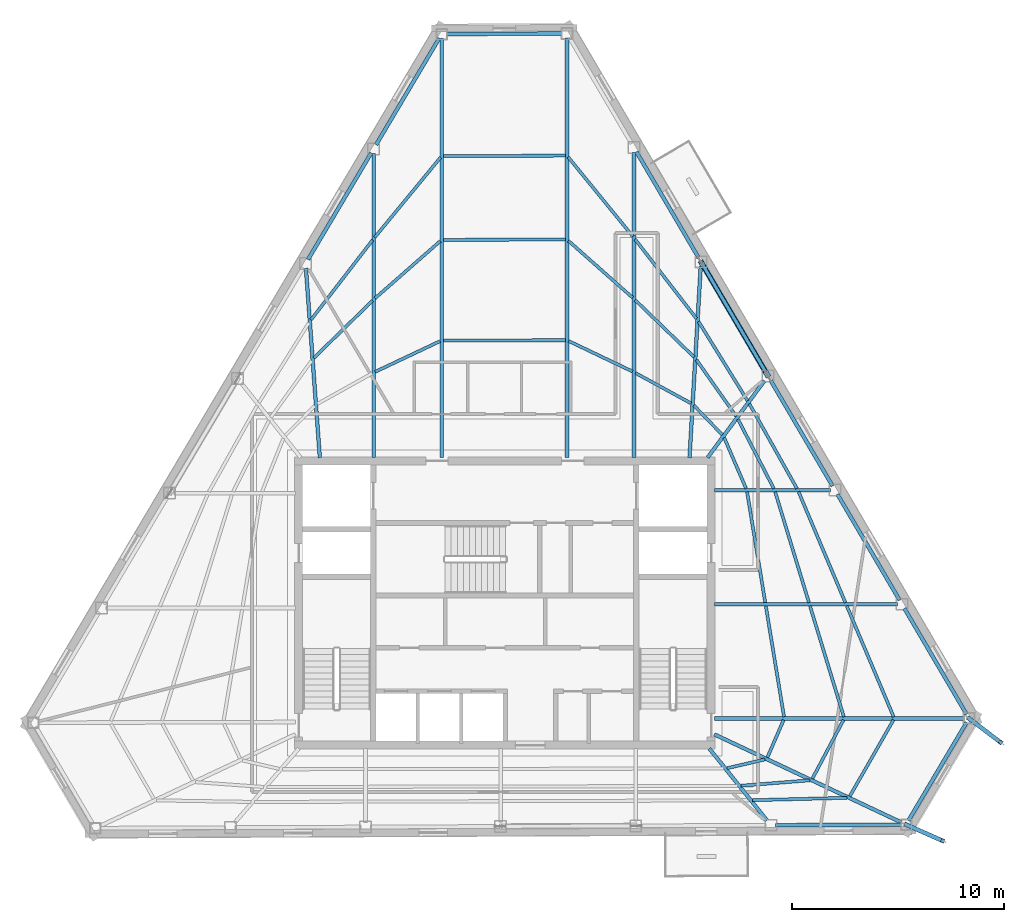
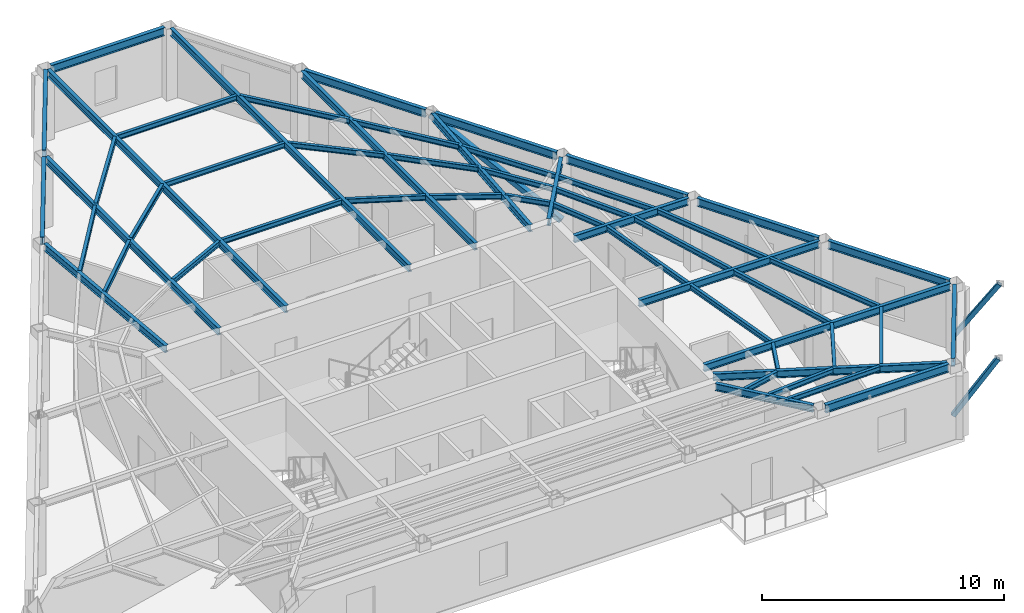
# One storey, part 2 of 9: 54 beams, 3 members.
"""IFC4 building model written with IfcOpenShell, lengths in metres."""

from ifc_helpers import new_model, si_unit, direction, frame, origin, origin_2d, place, context, subcontext, project, spatial, hollow_rectangle, i_section, extrude, material, material_profile, profile_set, type_object, element, save


model = new_model("IFC4")

# Units and contexts
model_context = context("Model", 3, precision=1e-05, world=origin(), true_north=direction((0.0, 1.0)))
body_context = subcontext(model_context, "Body", "Model", "MODEL_VIEW")
ifc_project = project(units=[si_unit("LENGTHUNIT", "METRE"), si_unit("AREAUNIT", "SQUARE_METRE"), si_unit("VOLUMEUNIT", "CUBIC_METRE"), si_unit("PLANEANGLEUNIT", "RADIAN"), si_unit("MASSUNIT", "GRAM", prefix="KILO")], contexts=[model_context])

# Site, building, storey
site_placement = place(None, origin())
site = spatial("IfcSite", under=ifc_project, at=site_placement, CompositionType="ELEMENT")
building_placement = place(site_placement, origin())
building = spatial("IfcBuilding", under=site, at=building_placement, Name="Kavelnor Concourse Tower", CompositionType="ELEMENT")
storey_placement = place(building_placement, frame((0.0, 0.0, 278.0)))
storey = spatial("IfcBuildingStorey", under=building, at=storey_placement, Name="L70", CompositionType="ELEMENT", Elevation=278.0)

# Beams
ifc_material = material(Name="Steel Grade 350", Category="steel")
ifc_material_profile_1 = material_profile(ifc_material, i_section(OverallWidth=0.14599609375, OverallDepth=0.256103515625, WebThickness=0.00634765625, FlangeThickness=0.010986328125, at=origin_2d()), Name="250UB37")
ifc_profile_set_1 = profile_set([ifc_material_profile_1], Name="Steel Grade 350")
beam_type_1 = type_object("IfcBeamType", Name="BM-JOIST-250", PredefinedType="JOIST", material=ifc_profile_set_1)
beam_1_placement = place(storey_placement, frame((48.464111328125, 8.321533203125, 3.48193359375), z_axis=(0.974163757113, 0.225842808889, 0.0), x_axis=(-0.225842808889, 0.974163757113, 0.0)))
element("IfcBeam", 1, at=beam_1_placement, inside=storey, type_object=beam_type_1, Name="L70 Secondary Composite Joist 08-1", PredefinedType="JOIST", context=body_context, shape_type="SweptSolid", body=[
    extrude(i_section(OverallWidth=0.14599609375, OverallDepth=0.256103515625, WebThickness=0.00634765625, FlangeThickness=0.010986328125, at=origin_2d()), origin(), (0.0, 0.0, 1.0), 1.831298828125),
])
beam_2_placement = place(storey_placement, frame((49.11865234375, 7.49658203125, 3.48193359375), z_axis=(0.99689597676, 0.078729991232, 0.0), x_axis=(-0.078729991232, 0.99689597676, 0.0)))
element("IfcBeam", 2, at=beam_2_placement, inside=storey, type_object=beam_type_1, Name="L70 Secondary Composite Joist 08-2", PredefinedType="JOIST", context=body_context, shape_type="SweptSolid", body=[
    extrude(i_section(OverallWidth=0.14599609375, OverallDepth=0.256103515625, WebThickness=0.00634765625, FlangeThickness=0.010986328125, at=origin_2d()), origin(), (0.0, 0.0, 1.0), 3.249755859375),
])
beam_3_placement = place(storey_placement, frame((49.662841796875, 6.815185546875, 3.48193359375), z_axis=(0.999679692497, 0.025308346645, 0.0), x_axis=(-0.025308346645, 0.999679692497, 0.0)))
element("IfcBeam", 3, at=beam_3_placement, inside=storey, type_object=beam_type_1, Name="L70 Secondary Composite Joist 08-3", PredefinedType="JOIST", context=body_context, shape_type="SweptSolid", body=[
    extrude(i_section(OverallWidth=0.14599609375, OverallDepth=0.256103515625, WebThickness=0.00634765625, FlangeThickness=0.010986328125, at=origin_2d()), origin(), (0.0, 0.0, 1.0), 4.456787109375),
])
beam_4_placement = place(storey_placement, frame((50.360595703125, 8.828857421875, 3.48193359375), z_axis=(0.397614574495, 0.917552532637, 0.0), x_axis=(-0.917552532637, 0.397614574495, 0.0)))
element("IfcBeam", 4, at=beam_4_placement, inside=storey, type_object=beam_type_1, Name="L70 Secondary Composite Joist 09-1", PredefinedType="JOIST", context=body_context, shape_type="SweptSolid", body=[
    extrude(i_section(OverallWidth=0.14599609375, OverallDepth=0.256103515625, WebThickness=0.00634765625, FlangeThickness=0.010986328125, at=origin_2d()), origin(), (0.0, 0.0, 1.0), 1.919921875),
])
beam_5_placement = place(storey_placement, frame((52.478515625, 7.831298828125, 3.48193359375), z_axis=(0.468633741368, 0.883392560786, 0.0), x_axis=(-0.883392560786, 0.468633741368, 0.0)))
element("IfcBeam", 5, at=beam_5_placement, inside=storey, type_object=beam_type_1, Name="L70 Secondary Composite Joist 09-2", PredefinedType="JOIST", context=body_context, shape_type="SweptSolid", body=[
    extrude(i_section(OverallWidth=0.14599609375, OverallDepth=0.256103515625, WebThickness=0.00634765625, FlangeThickness=0.010986328125, at=origin_2d()), origin(), (0.0, 0.0, 1.0), 3.126708984375),
])
beam_6_placement = place(storey_placement, frame((54.24072265625, 7.001220703125, 3.48193359375), z_axis=(0.496570756533, 0.867996246395, 0.0), x_axis=(-0.867996246395, 0.496570756533, 0.0)))
element("IfcBeam", 6, at=beam_6_placement, inside=storey, type_object=beam_type_1, Name="L70 Secondary Composite Joist 09-3", PredefinedType="JOIST", context=body_context, shape_type="SweptSolid", body=[
    extrude(i_section(OverallWidth=0.14599609375, OverallDepth=0.256103515625, WebThickness=0.00634765625, FlangeThickness=0.010986328125, at=origin_2d()), origin(), (0.0, 0.0, 1.0), 4.1396484375),
])
beam_7_placement = place(storey_placement, frame((51.143310546875, 10.74658203125, 3.48193359375), z_axis=(-0.162165300468, 0.986763606607, 0.0), x_axis=(-0.986763606607, -0.162165300468, 0.0)))
element("IfcBeam", 7, at=beam_7_placement, inside=storey, type_object=beam_type_1, Name="L70 Secondary Composite Joist 10-1", PredefinedType="JOIST", context=body_context, shape_type="SweptSolid", body=[
    extrude(i_section(OverallWidth=0.14599609375, OverallDepth=0.256103515625, WebThickness=0.00634765625, FlangeThickness=0.010986328125, at=origin_2d()), origin(), (0.0, 0.0, 1.0), 5.28271484375),
])
beam_8_placement = place(storey_placement, frame((53.95849609375, 10.744140625, 3.48193359375), z_axis=(-0.291959300475, 0.956430743371, 0.0), x_axis=(-0.956430743371, -0.291959300475, 0.0)))
element("IfcBeam", 8, at=beam_8_placement, inside=storey, type_object=beam_type_1, Name="L70 Secondary Composite Joist 10-2", PredefinedType="JOIST", context=body_context, shape_type="SweptSolid", body=[
    extrude(i_section(OverallWidth=0.14599609375, OverallDepth=0.256103515625, WebThickness=0.00634765625, FlangeThickness=0.010986328125, at=origin_2d()), origin(), (0.0, 0.0, 1.0), 5.45556640625),
])
beam_9_placement = place(storey_placement, frame((56.30517578125, 10.7412109375, 3.48193359375), z_axis=(-0.389269189351, 0.921124040628, 0.0), x_axis=(-0.921124040628, -0.389269189351, 0.0)))
element("IfcBeam", 9, at=beam_9_placement, inside=storey, type_object=beam_type_1, Name="L70 Secondary Composite Joist 10-3", PredefinedType="JOIST", context=body_context, shape_type="SweptSolid", body=[
    extrude(i_section(OverallWidth=0.14599609375, OverallDepth=0.256103515625, WebThickness=0.00634765625, FlangeThickness=0.010986328125, at=origin_2d()), origin(), (0.0, 0.0, 1.0), 5.6708984375),
])
beam_10_placement = place(storey_placement, frame((50.260009765625, 16.121337890625, 3.48193359375), z_axis=(-0.162165300468, 0.986763606607, 0.0), x_axis=(-0.986763606607, -0.162165300468, 0.0)))
element("IfcBeam", 10, at=beam_10_placement, inside=storey, type_object=beam_type_1, Name="L70 Secondary Composite Joist 11-1", PredefinedType="JOIST", context=body_context, shape_type="SweptSolid", body=[
    extrude(i_section(OverallWidth=0.14599609375, OverallDepth=0.256103515625, WebThickness=0.00634765625, FlangeThickness=0.010986328125, at=origin_2d()), origin(), (0.0, 0.0, 1.0), 5.28271484375),
])
beam_11_placement = place(storey_placement, frame((52.31787109375, 16.118896484375, 3.48193359375), z_axis=(-0.291918362729, 0.956443239038, 0.0), x_axis=(-0.956443239038, -0.291918362729, 0.0)))
element("IfcBeam", 11, at=beam_11_placement, inside=storey, type_object=beam_type_1, Name="L70 Secondary Composite Joist 11-2", PredefinedType="JOIST", context=body_context, shape_type="SweptSolid", body=[
    extrude(i_section(OverallWidth=0.14599609375, OverallDepth=0.256103515625, WebThickness=0.00634765625, FlangeThickness=0.010986328125, at=origin_2d()), origin(), (0.0, 0.0, 1.0), 5.455322265625),
])
beam_12_placement = place(storey_placement, frame((54.03369140625, 16.115966796875, 3.48193359375), z_axis=(-0.389269189351, 0.921124040628, 0.0), x_axis=(-0.921124040628, -0.389269189351, 0.0)))
element("IfcBeam", 12, at=beam_12_placement, inside=storey, type_object=beam_type_1, Name="L70 Secondary Composite Joist 11-3", PredefinedType="JOIST", context=body_context, shape_type="SweptSolid", body=[
    extrude(i_section(OverallWidth=0.14599609375, OverallDepth=0.256103515625, WebThickness=0.00634765625, FlangeThickness=0.010986328125, at=origin_2d()), origin(), (0.0, 0.0, 1.0), 5.6708984375),
])
beam_13_placement = place(storey_placement, frame((49.357421875, 21.490478515625, 3.48193359375), z_axis=(-0.39561417302, 0.918416804128, 0.0), x_axis=(-0.918416804128, -0.39561417302, 0.0)))
element("IfcBeam", 13, at=beam_13_placement, inside=storey, type_object=beam_type_1, Name="L70 Secondary Composite Joist 12-1", PredefinedType="JOIST", context=body_context, shape_type="SweptSolid", body=[
    extrude(i_section(OverallWidth=0.14599609375, OverallDepth=0.256103515625, WebThickness=0.00634765625, FlangeThickness=0.010986328125, at=origin_2d()), origin(), (0.0, 0.0, 1.0), 2.606689453125),
])
beam_14_placement = place(storey_placement, frame((50.663818359375, 21.48779296875, 3.48193359375), z_axis=(-0.459543904276, 0.888155054054, 0.0), x_axis=(-0.888155054054, -0.459543904276, 0.0)))
element("IfcBeam", 14, at=beam_14_placement, inside=storey, type_object=beam_type_1, Name="L70 Secondary Composite Joist 12-2", PredefinedType="JOIST", context=body_context, shape_type="SweptSolid", body=[
    extrude(i_section(OverallWidth=0.14599609375, OverallDepth=0.256103515625, WebThickness=0.00634765625, FlangeThickness=0.010986328125, at=origin_2d()), origin(), (0.0, 0.0, 1.0), 3.677978515625),
])
beam_15_placement = place(storey_placement, frame((51.754150390625, 21.486572265625, 3.48193359375), z_axis=(-0.489797903072, 0.871836001864, 0.0), x_axis=(-0.871836001864, -0.489797903072, 0.0)))
element("IfcBeam", 15, at=beam_15_placement, inside=storey, type_object=beam_type_1, Name="L70 Secondary Composite Joist 12-3", PredefinedType="JOIST", context=body_context, shape_type="SweptSolid", body=[
    extrude(i_section(OverallWidth=0.14599609375, OverallDepth=0.256103515625, WebThickness=0.00634765625, FlangeThickness=0.010986328125, at=origin_2d()), origin(), (0.0, 0.0, 1.0), 4.578857421875),
])
beam_16_placement = place(storey_placement, frame((48.236572265625, 24.018798828125, 3.48193359375), z_axis=(-0.695343260973, 0.718677778576, 0.0), x_axis=(-0.718677778576, -0.695343260973, 0.0)))
element("IfcBeam", 16, at=beam_16_placement, inside=storey, type_object=beam_type_1, Name="L70 Secondary Composite Joist 13-1", PredefinedType="JOIST", context=body_context, shape_type="SweptSolid", body=[
    extrude(i_section(OverallWidth=0.14599609375, OverallDepth=0.256103515625, WebThickness=0.00634765625, FlangeThickness=0.010986328125, at=origin_2d()), origin(), (0.0, 0.0, 1.0), 1.925048828125),
])
beam_17_placement = place(storey_placement, frame((48.888916015625, 24.894287109375, 3.48193359375), z_axis=(-0.575760961493, 0.817618074177, 0.0), x_axis=(-0.817618074177, -0.575760961493, 0.0)))
element("IfcBeam", 17, at=beam_17_placement, inside=storey, type_object=beam_type_1, Name="L70 Secondary Composite Joist 13-2", PredefinedType="JOIST", context=body_context, shape_type="SweptSolid", body=[
    extrude(i_section(OverallWidth=0.14599609375, OverallDepth=0.256103515625, WebThickness=0.00634765625, FlangeThickness=0.010986328125, at=origin_2d()), origin(), (0.0, 0.0, 1.0), 3.25439453125),
])
beam_18_placement = place(storey_placement, frame((49.42822265625, 25.61962890625, 3.48193359375), z_axis=(-0.526325904984, 0.850282918647, 0.0), x_axis=(-0.850282918647, -0.526325904984, 0.0)))
element("IfcBeam", 18, at=beam_18_placement, inside=storey, type_object=beam_type_1, Name="L70 Secondary Composite Joist 13-3", PredefinedType="JOIST", context=body_context, shape_type="SweptSolid", body=[
    extrude(i_section(OverallWidth=0.14599609375, OverallDepth=0.256103515625, WebThickness=0.00634765625, FlangeThickness=0.010986328125, at=origin_2d()), origin(), (0.0, 0.0, 1.0), 4.391357421875),
])
beam_19_placement = place(storey_placement, frame((46.76904296875, 25.50048828125, 3.48193359375), z_axis=(-0.87802388891, 0.478616809675, 0.0), x_axis=(-0.478616809675, -0.87802388891, 0.0)))
element("IfcBeam", 19, at=beam_19_placement, inside=storey, type_object=beam_type_1, Name="L70 Secondary Composite Joist 14-1", PredefinedType="JOIST", context=body_context, shape_type="SweptSolid", body=[
    extrude(i_section(OverallWidth=0.14599609375, OverallDepth=0.256103515625, WebThickness=0.00634765625, FlangeThickness=0.010986328125, at=origin_2d()), origin(), (0.0, 0.0, 1.0), 2.98046875),
])
beam_20_placement = place(storey_placement, frame((46.9091796875, 27.67919921875, 3.48193359375), z_axis=(-0.718601120869, 0.695422482442, 0.0), x_axis=(-0.695422482442, -0.718601120869, 0.0)))
element("IfcBeam", 20, at=beam_20_placement, inside=storey, type_object=beam_type_1, Name="L70 Secondary Composite Joist 14-2", PredefinedType="JOIST", context=body_context, shape_type="SweptSolid", body=[
    extrude(i_section(OverallWidth=0.14599609375, OverallDepth=0.256103515625, WebThickness=0.00634765625, FlangeThickness=0.010986328125, at=origin_2d()), origin(), (0.0, 0.0, 1.0), 3.85498046875),
])
beam_21_placement = place(storey_placement, frame((47.023681640625, 29.488037109375, 3.48193359375), z_axis=(-0.611919075816, 0.7909203782, 0.0), x_axis=(-0.7909203782, -0.611919075816, 0.0)))
element("IfcBeam", 21, at=beam_21_placement, inside=storey, type_object=beam_type_1, Name="L70 Secondary Composite Joist 14-3", PredefinedType="JOIST", context=body_context, shape_type="SweptSolid", body=[
    extrude(i_section(OverallWidth=0.14599609375, OverallDepth=0.256103515625, WebThickness=0.00634765625, FlangeThickness=0.010986328125, at=origin_2d()), origin(), (0.0, 0.0, 1.0), 4.728759765625),
])
beam_22_placement = place(storey_placement, frame((44.006103515625, 27.00146484375, 3.48193359375), z_axis=(-0.902569071041, 0.430545087071, 0.0), x_axis=(-0.430545087071, -0.902569071041, 0.0)))
element("IfcBeam", 22, at=beam_22_placement, inside=storey, type_object=beam_type_1, Name="L70 Secondary Composite Joist 15-1", PredefinedType="JOIST", context=body_context, shape_type="SweptSolid", body=[
    extrude(i_section(OverallWidth=0.14599609375, OverallDepth=0.256103515625, WebThickness=0.00634765625, FlangeThickness=0.010986328125, at=origin_2d()), origin(), (0.0, 0.0, 1.0), 3.331298828125),
])
beam_23_placement = place(storey_placement, frame((44.0185546875, 30.471435546875, 3.48193359375), z_axis=(-0.748492438565, 0.663143324939, 0.0), x_axis=(-0.663143324939, -0.748492438565, 0.0)))
element("IfcBeam", 23, at=beam_23_placement, inside=storey, type_object=beam_type_1, Name="L70 Secondary Composite Joist 15-2", PredefinedType="JOIST", context=body_context, shape_type="SweptSolid", body=[
    extrude(i_section(OverallWidth=0.14599609375, OverallDepth=0.256103515625, WebThickness=0.00634765625, FlangeThickness=0.010986328125, at=origin_2d()), origin(), (0.0, 0.0, 1.0), 4.050537109375),
])
beam_24_placement = place(storey_placement, frame((44.0283203125, 33.3564453125, 3.48193359375), z_axis=(-0.63188224853, 0.775064399901, 0.0), x_axis=(-0.775064399901, -0.63188224853, 0.0)))
element("IfcBeam", 24, at=beam_24_placement, inside=storey, type_object=beam_type_1, Name="L70 Secondary Composite Joist 15-3", PredefinedType="JOIST", context=body_context, shape_type="SweptSolid", body=[
    extrude(i_section(OverallWidth=0.14599609375, OverallDepth=0.256103515625, WebThickness=0.00634765625, FlangeThickness=0.010986328125, at=origin_2d()), origin(), (0.0, 0.0, 1.0), 4.828857421875),
])
for number, where, z_axis, x_axis, name in (
    (25, (40.84326171875, 28.470947265625, 3.48193359375), (-0.999999238181, -0.001234356768, 0.0), (0.001234356768, -0.999999238181, 0.0), "L70 Secondary Composite Joist 16-1"),
    (26, (40.84326171875, 33.211669921875, 3.48193359375), (-0.999997358553, -0.00229845311, 0.0), (0.00229845311, -0.999997358553, 0.0), "L70 Secondary Composite Joist 16-2"),
    (27, (40.84326171875, 37.162353515625, 3.48193359375), (-0.999994904635, -0.003192288152, 0.0), (0.003192288152, -0.999994904635, 0.0), "L70 Secondary Composite Joist 16-3"),
):
    element("IfcBeam", number, at=place(storey_placement, frame(where, z_axis=z_axis, x_axis=x_axis)), inside=storey, type_object=beam_type_1, Name=name, PredefinedType="JOIST", context=body_context, shape_type="SweptSolid", body=[
        extrude(i_section(OverallWidth=0.14599609375, OverallDepth=0.256103515625, WebThickness=0.00634765625, FlangeThickness=0.010986328125, at=origin_2d()), origin(), (0.0, 0.0, 1.0), 5.73583984375),
    ])
beam_25_placement = place(storey_placement, frame((34.951171875, 28.4287109375, 3.48193359375), z_axis=(-0.904243222885, -0.427017791042, 0.0), x_axis=(0.427017791042, -0.904243222885, 0.0)))
element("IfcBeam", 28, at=beam_25_placement, inside=storey, type_object=beam_type_1, Name="L70 Secondary Composite Joist 17-1", PredefinedType="JOIST", context=body_context, shape_type="SweptSolid", body=[
    extrude(i_section(OverallWidth=0.14599609375, OverallDepth=0.256103515625, WebThickness=0.00634765625, FlangeThickness=0.010986328125, at=origin_2d()), origin(), (0.0, 0.0, 1.0), 3.379638671875),
])
beam_26_placement = place(storey_placement, frame((34.963623046875, 33.144287109375, 3.48193359375), z_axis=(-0.751826988909, -0.659360431591, 0.0), x_axis=(0.659360431591, -0.751826988909, 0.0)))
element("IfcBeam", 29, at=beam_26_placement, inside=storey, type_object=beam_type_1, Name="L70 Secondary Composite Joist 17-2", PredefinedType="JOIST", context=body_context, shape_type="SweptSolid", body=[
    extrude(i_section(OverallWidth=0.14599609375, OverallDepth=0.256103515625, WebThickness=0.00634765625, FlangeThickness=0.010986328125, at=origin_2d()), origin(), (0.0, 0.0, 1.0), 4.09765625),
])
beam_27_placement = place(storey_placement, frame((34.97314453125, 37.08056640625, 3.48193359375), z_axis=(-0.635701988058, -0.771934571307, 0.0), x_axis=(0.771934571307, -0.635701988058, 0.0)))
element("IfcBeam", 30, at=beam_27_placement, inside=storey, type_object=beam_type_1, Name="L70 Secondary Composite Joist 17-3", PredefinedType="JOIST", context=body_context, shape_type="SweptSolid", body=[
    extrude(i_section(OverallWidth=0.14599609375, OverallDepth=0.256103515625, WebThickness=0.00634765625, FlangeThickness=0.010986328125, at=origin_2d()), origin(), (0.0, 0.0, 1.0), 4.876220703125),
])
beam_28_placement = place(storey_placement, frame((31.762451171875, 30.330810546875, 3.48193359375), z_axis=(-0.714916610495, -0.69920972536, 0.0), x_axis=(0.69920972536, -0.714916610495, 0.0)))
element("IfcBeam", 31, at=beam_28_placement, inside=storey, type_object=beam_type_1, Name="L70 Secondary Composite Joist 18-2", PredefinedType="JOIST", context=body_context, shape_type="SweptSolid", body=[
    extrude(i_section(OverallWidth=0.14599609375, OverallDepth=0.256103515625, WebThickness=0.00634765625, FlangeThickness=0.010986328125, at=origin_2d()), origin(), (0.0, 0.0, 1.0), 3.854736328125),
])
beam_29_placement = place(storey_placement, frame((31.77099609375, 33.18798828125, 3.48193359375), z_axis=(-0.611194500557, -0.791480437212, 0.0), x_axis=(0.791480437212, -0.611194500557, 0.0)))
element("IfcBeam", 32, at=beam_29_placement, inside=storey, type_object=beam_type_1, Name="L70 Secondary Composite Joist 18-3", PredefinedType="JOIST", context=body_context, shape_type="SweptSolid", body=[
    extrude(i_section(OverallWidth=0.14599609375, OverallDepth=0.256103515625, WebThickness=0.00634765625, FlangeThickness=0.010986328125, at=origin_2d()), origin(), (0.0, 0.0, 1.0), 4.751953125),
])
ifc_material_profile_2 = material_profile(ifc_material, i_section(OverallWidth=0.172119140625, OverallDepth=0.35888671875, WebThickness=0.008056640625, FlangeThickness=0.012939453125, at=origin_2d()), Name="360UB56")
ifc_profile_set_2 = profile_set([ifc_material_profile_2], Name="Steel Grade 350")
beam_type_2 = type_object("IfcBeamType", Name="BM-PRIMARY-360", PredefinedType="BEAM", material=ifc_profile_set_2)
beam_30_placement = place(storey_placement, frame((35.025390625, 22.93994140625, 3.430419921875), z_axis=(0.0, 1.0, 0.0), x_axis=(-1.0, 0.0, 0.0)))
element("IfcBeam", 33, at=beam_30_placement, inside=storey, type_object=beam_type_2, Name="L70 Primary Floor Girder F0-B0", PredefinedType="BEAM", context=body_context, shape_type="SweptSolid", body=[
    extrude(i_section(OverallWidth=0.172119140625, OverallDepth=0.35888671875, WebThickness=0.008056640625, FlangeThickness=0.012939453125, at=origin_2d()), origin(), (0.0, 0.0, 1.0), 19.7275390625),
])
beam_31_placement = place(storey_placement, frame((31.821044921875, 22.93994140625, 3.430419921875), z_axis=(0.0, 1.0, 0.0), x_axis=(-1.0, 0.0, 0.0)))
element("IfcBeam", 34, at=beam_31_placement, inside=storey, type_object=beam_type_2, Name="L70 Primary Floor Girder F0-B1", PredefinedType="BEAM", context=body_context, shape_type="SweptSolid", body=[
    extrude(i_section(OverallWidth=0.172119140625, OverallDepth=0.35888671875, WebThickness=0.008056640625, FlangeThickness=0.012939453125, at=origin_2d()), origin(), (0.0, 0.0, 1.0), 14.32373046875),
])
beam_32_placement = place(storey_placement, frame((29.288818359375, 22.940185546875, 3.430419921875), z_axis=(-0.073322658792, 0.997308271152, 0.0), x_axis=(-0.997308271152, -0.073322658792, 0.0)))
element("IfcBeam", 35, at=beam_32_placement, inside=storey, type_object=beam_type_2, Name="L70 Primary Floor Girder F0-B2", PredefinedType="BEAM", context=body_context, shape_type="SweptSolid", body=[
    extrude(i_section(OverallWidth=0.172119140625, OverallDepth=0.35888671875, WebThickness=0.008056640625, FlangeThickness=0.012939453125, at=origin_2d()), origin(), (0.0, 0.0, 1.0), 8.943603515625),
])
beam_33_placement = place(storey_placement, frame((47.622802734375, 9.251220703125, 3.430419921875), z_axis=(0.626140394874, -0.779710334616, 0.0), x_axis=(0.779710334616, 0.626140394874, 0.0)))
element("IfcBeam", 36, at=beam_33_placement, inside=storey, type_object=beam_type_2, Name="L70 Primary Floor Girder F1-B5", PredefinedType="BEAM", context=body_context, shape_type="SweptSolid", body=[
    extrude(i_section(OverallWidth=0.172119140625, OverallDepth=0.35888671875, WebThickness=0.008056640625, FlangeThickness=0.012939453125, at=origin_2d()), origin(), (0.0, 0.0, 1.0), 4.34326171875),
])
beam_34_placement = place(storey_placement, frame((47.86376953125, 9.914306640625, 3.430419921875), z_axis=(0.904686132705, -0.426078632755, 0.0), x_axis=(0.426078632755, 0.904686132705, 0.0)))
element("IfcBeam", 37, at=beam_34_placement, inside=storey, type_object=beam_type_2, Name="L70 Primary Floor Girder F1-B6", PredefinedType="BEAM", context=body_context, shape_type="SweptSolid", body=[
    extrude(i_section(OverallWidth=0.172119140625, OverallDepth=0.35888671875, WebThickness=0.008056640625, FlangeThickness=0.012939453125, at=origin_2d()), origin(), (0.0, 0.0, 1.0), 9.727783203125),
])
beam_35_placement = place(storey_placement, frame((47.860107421875, 10.665771484375, 3.430419921875), z_axis=(1.0, 0.0, 0.0), x_axis=(0.0, 1.0, 0.0)))
element("IfcBeam", 38, at=beam_35_placement, inside=storey, type_object=beam_type_2, Name="L70 Primary Floor Girder F2-B0", PredefinedType="BEAM", context=body_context, shape_type="SweptSolid", body=[
    extrude(i_section(OverallWidth=0.172119140625, OverallDepth=0.35888671875, WebThickness=0.008056640625, FlangeThickness=0.012939453125, at=origin_2d()), origin(), (0.0, 0.0, 1.0), 11.773681640625),
])
beam_36_placement = place(storey_placement, frame((47.860107421875, 16.040283203125, 3.430419921875), z_axis=(1.0, 0.0, 0.0), x_axis=(0.0, 1.0, 0.0)))
element("IfcBeam", 39, at=beam_36_placement, inside=storey, type_object=beam_type_2, Name="L70 Primary Floor Girder F2-B1", PredefinedType="BEAM", context=body_context, shape_type="SweptSolid", body=[
    extrude(i_section(OverallWidth=0.172119140625, OverallDepth=0.35888671875, WebThickness=0.008056640625, FlangeThickness=0.012939453125, at=origin_2d()), origin(), (0.0, 0.0, 1.0), 8.618896484375),
])
beam_37_placement = place(storey_placement, frame((47.860107421875, 21.4150390625, 3.430419921875), z_axis=(1.0, 0.0, 0.0), x_axis=(0.0, 1.0, 0.0)))
element("IfcBeam", 40, at=beam_37_placement, inside=storey, type_object=beam_type_2, Name="L70 Primary Floor Girder F2-B2", PredefinedType="BEAM", context=body_context, shape_type="SweptSolid", body=[
    extrude(i_section(OverallWidth=0.172119140625, OverallDepth=0.35888671875, WebThickness=0.008056640625, FlangeThickness=0.012939453125, at=origin_2d()), origin(), (0.0, 0.0, 1.0), 5.464111328125),
])
beam_38_placement = place(storey_placement, frame((47.544189453125, 22.947998046875, 3.430419921875), z_axis=(0.595150949547, 0.80361392923, 0.0), x_axis=(-0.80361392923, 0.595150949547, 0.0)))
element("IfcBeam", 41, at=beam_38_placement, inside=storey, type_object=beam_type_2, Name="L70 Primary Floor Girder F2-B3", PredefinedType="BEAM", context=body_context, shape_type="SweptSolid", body=[
    extrude(i_section(OverallWidth=0.172119140625, OverallDepth=0.35888671875, WebThickness=0.008056640625, FlangeThickness=0.012939453125, at=origin_2d()), origin(), (0.0, 0.0, 1.0), 4.497314453125),
])
beam_39_placement = place(storey_placement, frame((46.69287109375, 22.940185546875, 3.430419921875), z_axis=(0.058655379647, 0.998278291078, 0.0), x_axis=(-0.998278291078, 0.058655379647, 0.0)))
element("IfcBeam", 42, at=beam_39_placement, inside=storey, type_object=beam_type_2, Name="L70 Primary Floor Girder F2-B4", PredefinedType="BEAM", context=body_context, shape_type="SweptSolid", body=[
    extrude(i_section(OverallWidth=0.172119140625, OverallDepth=0.35888671875, WebThickness=0.008056640625, FlangeThickness=0.012939453125, at=origin_2d()), origin(), (0.0, 0.0, 1.0), 9.019775390625),
])
beam_40_placement = place(storey_placement, frame((44.080078125, 22.93994140625, 3.430419921875), z_axis=(0.0, 1.0, 0.0), x_axis=(-1.0, 0.0, 0.0)))
element("IfcBeam", 43, at=beam_40_placement, inside=storey, type_object=beam_type_2, Name="L70 Primary Floor Girder F2-B5", PredefinedType="BEAM", context=body_context, shape_type="SweptSolid", body=[
    extrude(i_section(OverallWidth=0.172119140625, OverallDepth=0.35888671875, WebThickness=0.008056640625, FlangeThickness=0.012939453125, at=origin_2d()), origin(), (0.0, 0.0, 1.0), 14.379150390625),
])
beam_41_placement = place(storey_placement, frame((40.92529296875, 22.93994140625, 3.430419921875), z_axis=(0.0, 1.0, 0.0), x_axis=(-1.0, 0.0, 0.0)))
element("IfcBeam", 44, at=beam_41_placement, inside=storey, type_object=beam_type_2, Name="L70 Primary Floor Girder F2-B6", PredefinedType="BEAM", context=body_context, shape_type="SweptSolid", body=[
    extrude(i_section(OverallWidth=0.172119140625, OverallDepth=0.35888671875, WebThickness=0.008056640625, FlangeThickness=0.012939453125, at=origin_2d()), origin(), (0.0, 0.0, 1.0), 19.753662109375),
])
ifc_material_profile_3 = material_profile(ifc_material, i_section(OverallWidth=0.177978515625, OverallDepth=0.406005859375, WebThickness=0.0078125, FlangeThickness=0.0126953125, at=origin_2d()), Name="410UB59")
ifc_profile_set_3 = profile_set([ifc_material_profile_3], Name="Steel Grade 350")
beam_type_3 = type_object("IfcBeamType", Name="BM-SPANDREL-Z4", PredefinedType="SPANDREL", material=ifc_profile_set_3)
for number, where, z_axis, x_axis, name in (
    (45, (34.910400390625, 42.694091796875, 3.406982421875), (-0.509995135748, -0.860177284932, 0.0), (0.860177284932, -0.509995135748, 0.0), "L70 Perimeter Tube Spandrel Beam F0-B0"),
    (46, (31.706298828125, 37.2900390625, 3.406982421875), (-0.510013498722, -0.860166397345, 0.0), (0.860166397345, -0.510013498722, 0.0), "L70 Perimeter Tube Spandrel Beam F0-B1"),
):
    element("IfcBeam", number, at=place(storey_placement, frame(where, z_axis=z_axis, x_axis=x_axis)), inside=storey, type_object=beam_type_3, Name=name, PredefinedType="SPANDREL", context=body_context, shape_type="SweptSolid", body=[
        extrude(i_section(OverallWidth=0.177978515625, OverallDepth=0.406005859375, WebThickness=0.0078125, FlangeThickness=0.0126953125, at=origin_2d()), origin(), (0.0, 0.0, 1.0), 5.83251953125),
    ])
beam_42_placement = place(storey_placement, frame((40.7001953125, 42.91259765625, 3.406982421875), z_axis=(-0.99999036369, -0.004390048633, 0.0), x_axis=(0.004390048633, -0.99999036369, 0.0)))
element("IfcBeam", 47, at=beam_42_placement, inside=storey, type_object=beam_type_3, Name="L70 Chamfer Facet Spandrel Beam C0", PredefinedType="SPANDREL", context=body_context, shape_type="SweptSolid", body=[
    extrude(i_section(OverallWidth=0.177978515625, OverallDepth=0.406005859375, WebThickness=0.0078125, FlangeThickness=0.0126953125, at=origin_2d()), origin(), (0.0, 0.0, 1.0), 5.449951171875),
])
beam_43_placement = place(storey_placement, frame((50.751220703125, 5.636962890625, 3.406982421875), z_axis=(0.999990237473, 0.004418705571, 0.0), x_axis=(-0.004418705571, 0.999990237473, 0.0)))
element("IfcBeam", 48, at=beam_43_placement, inside=storey, type_object=beam_type_3, Name="L70 Perimeter Tube Spandrel Beam F1-B5", PredefinedType="SPANDREL", context=body_context, shape_type="SweptSolid", body=[
    extrude(i_section(OverallWidth=0.177978515625, OverallDepth=0.406005859375, WebThickness=0.0078125, FlangeThickness=0.0126953125, at=origin_2d()), origin(), (0.0, 0.0, 1.0), 5.911865234375),
])
beam_44_placement = place(storey_placement, frame((59.73974609375, 10.85986328125, 3.406982421875), z_axis=(-0.506182135505, 0.862426603077, 0.0), x_axis=(-0.862426603077, -0.506182135505, 0.0)))
element("IfcBeam", 49, at=beam_44_placement, inside=storey, type_object=beam_type_3, Name="L70 Perimeter Tube Spandrel Beam F2-B0", PredefinedType="SPANDREL", context=body_context, shape_type="SweptSolid", body=[
    extrude(i_section(OverallWidth=0.177978515625, OverallDepth=0.406005859375, WebThickness=0.0078125, FlangeThickness=0.0126953125, at=origin_2d()), origin(), (0.0, 0.0, 1.0), 5.781982421875),
])
beam_45_placement = place(storey_placement, frame((56.585205078125, 16.234375, 3.406982421875), z_axis=(-0.506195107398, 0.862418989382, 0.0), x_axis=(-0.862418989382, -0.506195107398, 0.0)))
element("IfcBeam", 50, at=beam_45_placement, inside=storey, type_object=beam_type_3, Name="L70 Perimeter Tube Spandrel Beam F2-B1", PredefinedType="SPANDREL", context=body_context, shape_type="SweptSolid", body=[
    extrude(i_section(OverallWidth=0.177978515625, OverallDepth=0.406005859375, WebThickness=0.0078125, FlangeThickness=0.0126953125, at=origin_2d()), origin(), (0.0, 0.0, 1.0), 5.782470703125),
])
for number, where, z_axis, x_axis, name in (
    (51, (53.430419921875, 21.609130859375, 3.406982421875), (-0.506213539901, 0.862408170196, 0.0), (-0.862408170196, -0.506213539901, 0.0), "L70 Perimeter Tube Spandrel Beam F2-B2"),
    (52, (50.275634765625, 26.98388671875, 3.406982421875), (-0.506213539901, 0.862408170196, 0.0), (-0.862408170196, -0.506213539901, 0.0), "L70 Perimeter Tube Spandrel Beam F2-B3"),
):
    element("IfcBeam", number, at=place(storey_placement, frame(where, z_axis=z_axis, x_axis=x_axis)), inside=storey, type_object=beam_type_3, Name=name, PredefinedType="SPANDREL", context=body_context, shape_type="SweptSolid", body=[
        extrude(i_section(OverallWidth=0.177978515625, OverallDepth=0.406005859375, WebThickness=0.0078125, FlangeThickness=0.0126953125, at=origin_2d()), origin(), (0.0, 0.0, 1.0), 5.7822265625),
    ])
beam_46_placement = place(storey_placement, frame((47.120849609375, 32.3583984375, 3.406982421875), z_axis=(-0.506195107398, 0.862418989382, 0.0), x_axis=(-0.862418989382, -0.506195107398, 0.0)))
element("IfcBeam", 53, at=beam_46_placement, inside=storey, type_object=beam_type_3, Name="L70 Perimeter Tube Spandrel Beam F2-B4", PredefinedType="SPANDREL", context=body_context, shape_type="SweptSolid", body=[
    extrude(i_section(OverallWidth=0.177978515625, OverallDepth=0.406005859375, WebThickness=0.0078125, FlangeThickness=0.0126953125, at=origin_2d()), origin(), (0.0, 0.0, 1.0), 5.782470703125),
])
beam_47_placement = place(storey_placement, frame((57.002685546875, 5.857666015625, 3.406982421875), z_axis=(0.510031889004, 0.860155493036, 0.0), x_axis=(-0.860155493036, 0.510031889004, 0.0)))
element("IfcBeam", 54, at=beam_47_placement, inside=storey, type_object=beam_type_3, Name="L70 Chamfer Facet Spandrel Beam C2", PredefinedType="SPANDREL", context=body_context, shape_type="SweptSolid", body=[
    extrude(i_section(OverallWidth=0.177978515625, OverallDepth=0.406005859375, WebThickness=0.0078125, FlangeThickness=0.0126953125, at=origin_2d()), origin(), (0.0, 0.0, 1.0), 5.364990234375),
])

# Members
ifc_material_profile_4 = material_profile(ifc_material, hollow_rectangle(XDim=0.199951171875, YDim=0.199951171875, WallThickness=0.011962890625, at=origin_2d()), Name="SHS 200x200x12")
ifc_profile_set_4 = profile_set([ifc_material_profile_4], Name="Steel Grade 350")
member_type_1 = type_object("IfcMemberType", Name="MBR-TERR-STRUT-200", PredefinedType="STRUT", material=ifc_profile_set_4)
member_1_placement = place(storey_placement, frame((56.887939453125, 5.6640625, 0.89990234375), z_axis=(0.517924608453, -0.228201791818, 0.824425886402), x_axis=(0.403204801328, 0.915109768381, 0.0)))
element("IfcMember", 55, at=member_1_placement, inside=storey, type_object=member_type_1, Name="L70 Spiral Terrace Raking Knee Strut C2-A", PredefinedType="STRUT", context=body_context, shape_type="SweptSolid", body=[
    extrude(hollow_rectangle(XDim=0.199951171875, YDim=0.199951171875, WallThickness=0.011962890625, at=origin_2d()), origin(), (0.0, 0.0, 1.0), 3.317626953125),
])
member_2_placement = place(storey_placement, frame((59.853759765625, 10.665771484375, 0.89990234375), z_axis=(0.450372642957, -0.341773714011, 0.82483647524), x_axis=(0.604511884561, 0.796596121899, 0.0)))
element("IfcMember", 56, at=member_2_placement, inside=storey, type_object=member_type_1, Name="L70 Spiral Terrace Raking Knee Strut C2-B", PredefinedType="STRUT", context=body_context, shape_type="SweptSolid", body=[
    extrude(hollow_rectangle(XDim=0.199951171875, YDim=0.199951171875, WallThickness=0.011962890625, at=origin_2d()), origin(), (0.0, 0.0, 1.0), 3.31591796875),
])
ifc_material_profile_5 = material_profile(ifc_material, hollow_rectangle(XDim=0.25, YDim=0.25, WallThickness=0.01611328125, at=origin_2d()), Name="SHS 250x250x16")
ifc_profile_set_5 = profile_set([ifc_material_profile_5], Name="Steel Grade 350")
member_type_2 = type_object("IfcMemberType", Name="MBR-TUBE-DIAG-Z4", PredefinedType="BRACE", material=ifc_profile_set_5)
member_3_placement = place(storey_placement, frame((50.389404296875, 26.789794921875, 0.219970703125), z_axis=(-0.450678384412, 0.767837934715, 0.455317361668), x_axis=(-0.862420245306, -0.506192967639, 0.0)))
element("IfcMember", 57, at=member_3_placement, inside=storey, type_object=member_type_2, Name="L70 Framed-Tube Bracing Diagonal F2-B3", PredefinedType="BRACE", context=body_context, shape_type="SweptSolid", body=[
    extrude(hollow_rectangle(XDim=0.25, YDim=0.25, WallThickness=0.01611328125, at=origin_2d()), origin(), (0.0, 0.0, 1.0), 6.99951171875),
])

save(model, "model.ifc")
